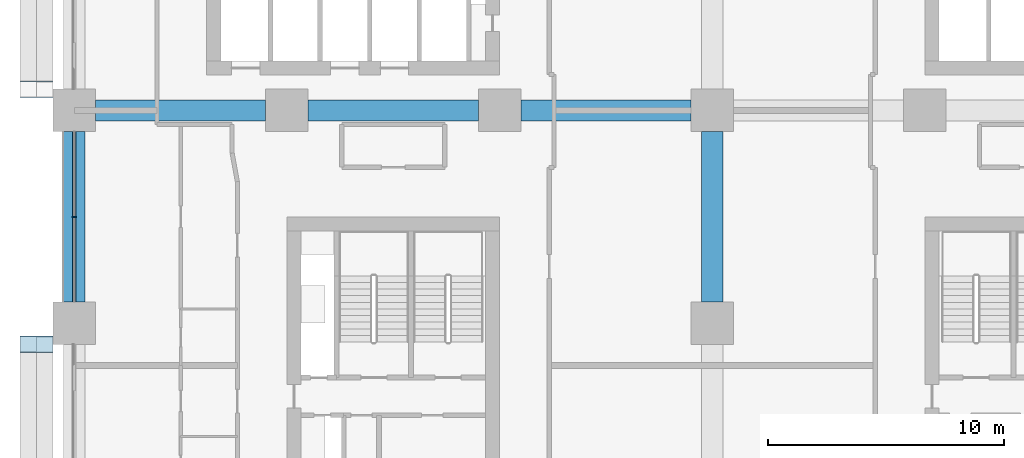
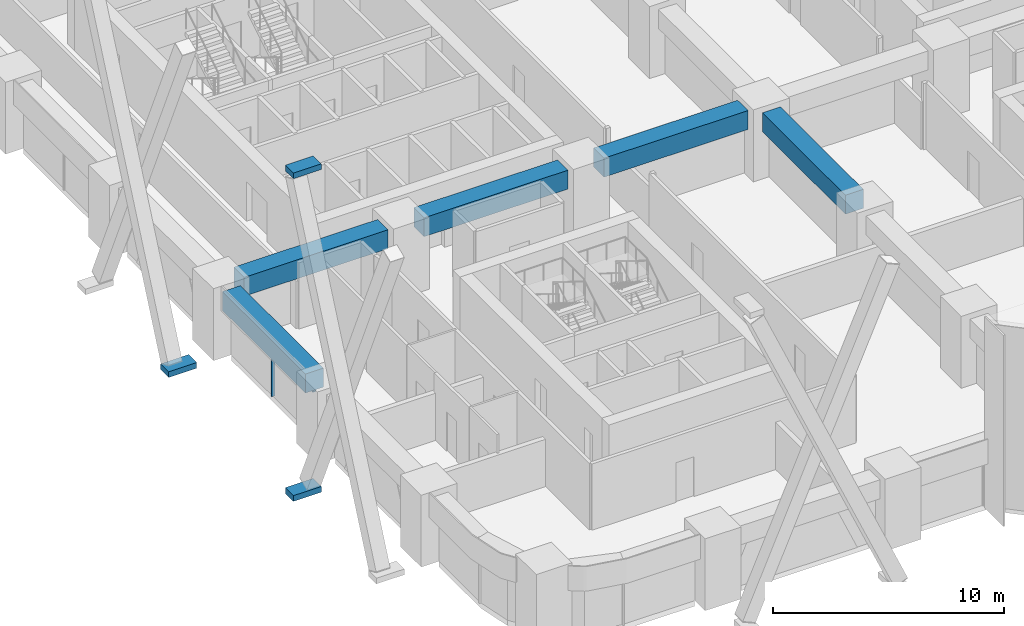
# One storey, part 4 of 24: 5 beams, 5 members, 1 element without a shape of its own.
"""IFC4 building model written with IfcOpenShell, lengths in metres."""

from ifc_helpers import new_model, si_unit, direction, frame, origin, origin_2d, place, context, subcontext, project, spatial, rectangle, extrude, material, layer, layer_set, material_profile, profile_set, type_object, element, aggregate, save


model = new_model("IFC4")

# Units and contexts
model_context = context("Model", 3, precision=1e-05, world=origin(), true_north=direction((0.0, 1.0)))
body_context = subcontext(model_context, "Body", "Model", "MODEL_VIEW")
ifc_project = project(units=[si_unit("LENGTHUNIT", "METRE"), si_unit("AREAUNIT", "SQUARE_METRE"), si_unit("VOLUMEUNIT", "CUBIC_METRE"), si_unit("PLANEANGLEUNIT", "RADIAN"), si_unit("MASSUNIT", "GRAM", prefix="KILO")], contexts=[model_context])

# Site, building, storey
site_placement = place(None, origin())
site = spatial("IfcSite", under=ifc_project, at=site_placement, CompositionType="ELEMENT")
building_placement = place(site_placement, origin())
building = spatial("IfcBuilding", under=site, at=building_placement, Name="Tessera Arch", CompositionType="ELEMENT")
storey_placement = place(building_placement, frame((0.0, 0.0, 61.39990234375)))
storey = spatial("IfcBuildingStorey", under=building, at=storey_placement, Name="L13", CompositionType="ELEMENT", Elevation=61.39990234375)

# Curtain wall, members
ifc_material_1 = material(Name="CW1 curtain wall")
curtain_wall_type = type_object("IfcCurtainWallType", Name="CW1 curtain wall", PredefinedType="NOTDEFINED", material=ifc_material_1)
curtain_wall_placement = place(storey_placement, origin())
curtain_wall = element("IfcCurtainWall", 1, at=curtain_wall_placement, inside=storey, type_object=curtain_wall_type, Name="CW1 curtain wall W0.0/3 L13", PredefinedType="NOTDEFINED")
ifc_material_2 = material(Name="Anodised aluminium pale metal", Category="aluminium")
ifc_material_profile_1 = material_profile(ifc_material_2, rectangle(XDim=0.159912109375, YDim=0.06005859375, at=origin_2d()), Name="AL 60x160")
ifc_profile_set_1 = profile_set([ifc_material_profile_1], Name="Anodised aluminium pale metal")
member_type_1 = type_object("IfcMemberType", Name="CW1 mullion", PredefinedType="MULLION", material=ifc_profile_set_1)
member_1_placement = place(storey_placement, frame((0.0, 22.5, 0.0), z_axis=(0.0, 0.0, 1.0), x_axis=(1.0, 0.0, 0.0)))
member_1 = element("IfcMember", 2, at=member_1_placement, type_object=member_type_1, Name="CW1 mullion W0.0/3 1", PredefinedType="MULLION", context=body_context, shape_type="SweptSolid", body=[
    extrude(rectangle(XDim=0.159912109375, YDim=0.06005859375, at=origin_2d()), origin(), (0.0, 0.0, 1.0), 2.400146484375),
])
ifc_material_3 = material(Name="Anodised aluminium pale metal", Category="aluminium")
ifc_material_profile_2 = material_profile(ifc_material_3, rectangle(XDim=0.159912109375, YDim=0.10009765625, at=origin_2d()), Name="AL 160x100")
ifc_profile_set_2 = profile_set([ifc_material_profile_2], Name="Anodised aluminium pale metal")
member_type_2 = type_object("IfcMemberType", Name="CW1 transom", PredefinedType="USERDEFINED", material=ifc_profile_set_2)
member_2_placement = place(storey_placement, frame((0.0, 26.10009765625, 2.4501953125), z_axis=(0.0, -1.0, 0.0), x_axis=(1.0, 0.0, 0.0)))
member_2 = element("IfcMember", 3, at=member_2_placement, type_object=member_type_2, Name="CW1 transom W0.0/3 1.1", ObjectType="TRANSOM", PredefinedType="USERDEFINED", context=body_context, shape_type="SweptSolid", body=[
    extrude(rectangle(XDim=0.159912109375, YDim=0.10009765625, at=origin_2d()), origin(), (0.0, 0.0, 1.0), 7.2001953125),
])
aggregate(curtain_wall, [member_1, member_2])

# Members
ifc_material_4 = material(Name="Steel A572 Gr50", Category="steel")
ifc_layer = layer(ifc_material_4, 0.050048828125)
ifc_layer_set = layer_set([ifc_layer], Name="Node block Steel A572 Gr50")
member_type_3 = type_object("IfcMemberType", Name="Node block Steel A572 Gr50", PredefinedType="PLATE", material=ifc_layer_set)
for number, where, z_axis, x_axis, name in (
    (4, (-1.60009765625, 27.89990234375, -1.27734375), (0.0, 0.0, 1.0), (0.0, -1.0, 0.0), "Node block seat W0.0-2 1 L13"),
    (5, (-1.60009765625, 17.10009765625, -1.27734375), (0.0, 0.0, 1.0), (0.0, -1.0, 0.0), "Node block seat W0.0-4 2 L13"),
    (6, (-1.60009765625, 17.10009765625, 15.77734375), (0.0, 0.0, 1.0), (0.0, -1.0, 0.0), "Node block head W0.0-4 B L13"),
):
    element("IfcMember", number, at=place(storey_placement, frame(where, z_axis=z_axis, x_axis=x_axis)), inside=storey, type_object=member_type_3, Name=name, PredefinedType="PLATE", context=body_context, shape_type="SweptSolid", body=[
        extrude(rectangle(XDim=0.699951171875, YDim=1.39990234375, at=origin_2d()), origin(), (0.0, 0.0, 1.0), 0.300048828125),
    ])

# Beams
ifc_material_5 = material(Name="Concrete C80/95", Category="concrete")
ifc_material_profile_3 = material_profile(ifc_material_5, rectangle(XDim=0.89990234375, YDim=1.0, at=origin_2d()), Name="RC spandrel beam 900 x 1000 Concrete C80/95")
ifc_profile_set_3 = profile_set([ifc_material_profile_3], Name="Concrete C80/95")
beam_type = type_object("IfcBeamType", Name="RC spandrel beam 900 x 1000 Concrete C80/95", PredefinedType="BEAM", material=ifc_profile_set_3)
for number, where, z_axis, x_axis, name in (
    (7, (0.0, 26.10009765625, 3.0), (0.0, -1.0, 0.0), (1.0, 0.0, 0.0), "Spandrel beam L13 W0.0/3"),
    (8, (27.0, 18.89990234375, 3.0), (0.0, 1.0, 0.0), (-1.0, 0.0, 0.0), "Interface beam L13 I0C4C-C4D"),
    (9, (0.89990234375, 27.0, 3.0), (1.0, 0.0, 0.0), (0.0, 1.0, 0.0), "Interface beam L13 I1C1D-C2D"),
    (10, (9.89990234375, 27.0, 3.0), (1.0, 0.0, 0.0), (0.0, 1.0, 0.0), "Interface beam L13 I1C2D-C3D"),
    (11, (18.89990234375, 27.0, 3.0), (1.0, 0.0, 0.0), (0.0, 1.0, 0.0), "Interface beam L13 I1C3D-C4D"),
):
    element("IfcBeam", number, at=place(storey_placement, frame(where, z_axis=z_axis, x_axis=x_axis)), inside=storey, type_object=beam_type, Name=name, PredefinedType="BEAM", context=body_context, shape_type="SweptSolid", body=[
        extrude(rectangle(XDim=0.89990234375, YDim=1.0, at=origin_2d()), origin(), (0.0, 0.0, 1.0), 7.2001953125),
    ])

save(model, "model.ifc")
